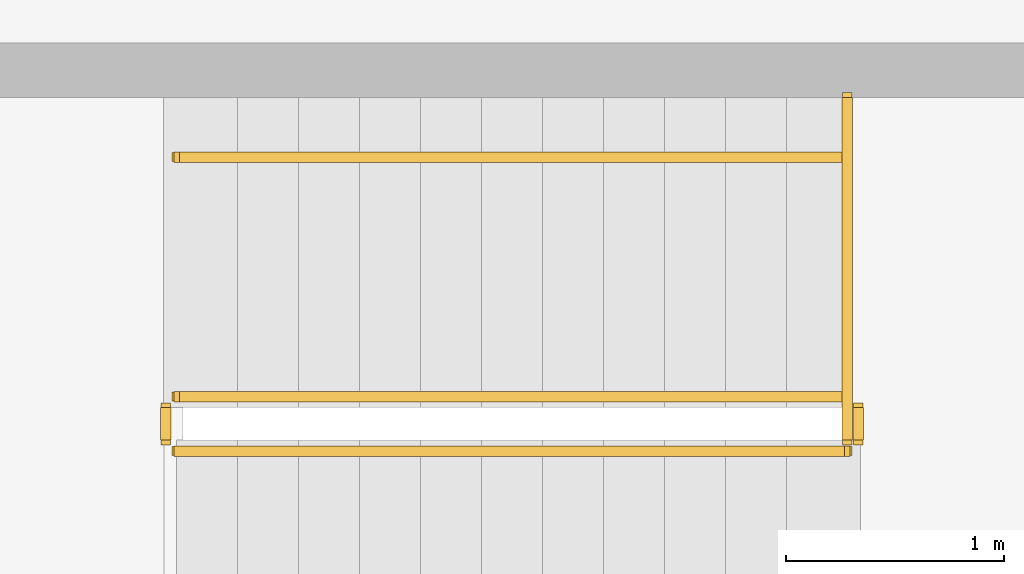
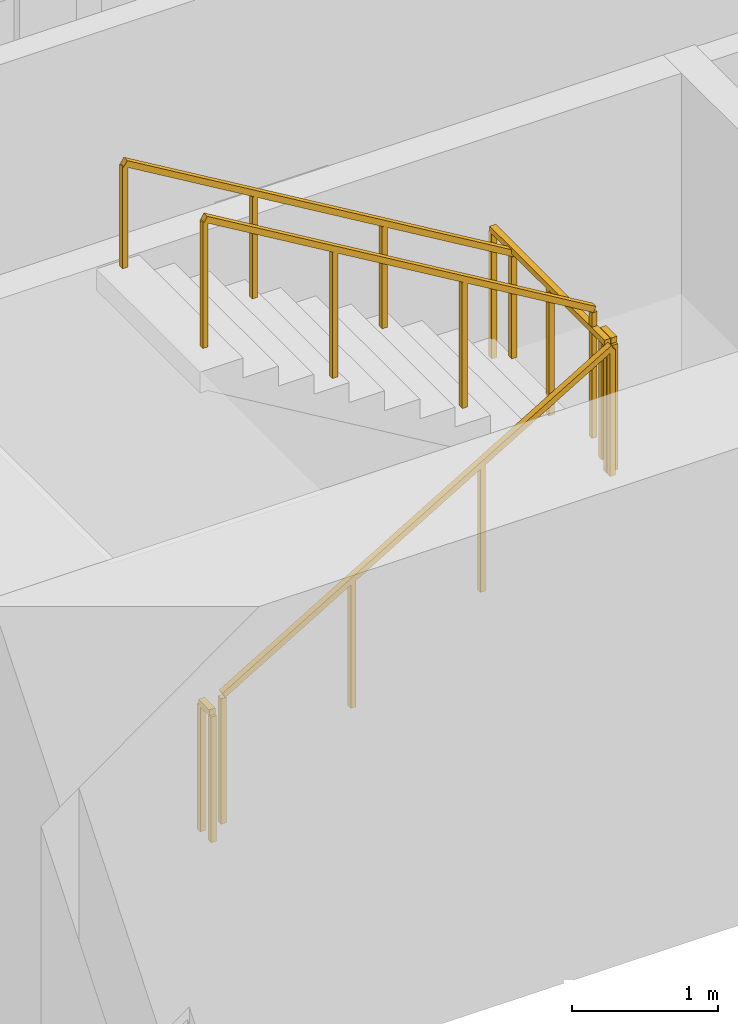
# One storey, part 13 of 16: 6 railings.
"""IFC4 building model written with IfcOpenShell, lengths in metres."""

from ifc_helpers import new_model, si_unit, direction, frame, origin, origin_2d, place, context, subcontext, project, spatial, rectangle, extrude, material, type_object, element, save


model = new_model("IFC4")

# Units and contexts
model_context = context("Model", 3, precision=1e-05, world=origin(), true_north=direction((0.0, 1.0)))
body_context = subcontext(model_context, "Body", "Model", "MODEL_VIEW")
ifc_project = project(units=[si_unit("LENGTHUNIT", "METRE"), si_unit("AREAUNIT", "SQUARE_METRE"), si_unit("VOLUMEUNIT", "CUBIC_METRE"), si_unit("PLANEANGLEUNIT", "RADIAN"), si_unit("MASSUNIT", "GRAM", prefix="KILO")], contexts=[model_context])

# Site, building, storey
site_placement = place(None, origin())
site = spatial("IfcSite", under=ifc_project, at=site_placement, CompositionType="ELEMENT")
building_placement = place(site_placement, origin())
building = spatial("IfcBuilding", under=site, at=building_placement, Name="Sennacour Bend Tower", CompositionType="ELEMENT")
storey_placement = place(building_placement, frame((0.0, 0.0, 227.0)))
storey = spatial("IfcBuildingStorey", under=building, at=storey_placement, Name="L52", CompositionType="ELEMENT", Elevation=227.0)

# Railings
ifc_material = material(Name="Stainless steel", Category="steel")
railing_type_1 = type_object("IfcRailingType", Name="RL-GUARD-1100", PredefinedType="GUARDRAIL", material=ifc_material)
railing_1_placement = place(storey_placement, frame((56.699951171875, 2.449951171875, 0.166748046875)))
element("IfcRailing", 1, at=railing_1_placement, inside=storey, type_object=railing_type_1, Name="L52 SA1 stair guard 1", PredefinedType="GUARDRAIL", context=body_context, shape_type="SweptSolid", body=[
    extrude(rectangle(XDim=0.048095703125, YDim=0.048095703125, at=origin_2d()), frame((0.0, 0.0, 1.076171875), z_axis=(0.859308565015, 0.0, 0.511457515432), x_axis=(0.0, 1.0, 0.0)), (0.0, 0.0, 1.0), 3.58447265625),
    extrude(rectangle(XDim=0.0419921875, YDim=0.0419921875, at=origin_2d()), origin(), (0.0, 0.0, 1.0), 1.052001953125),
    extrude(rectangle(XDim=0.0419921875, YDim=0.0419921875, at=origin_2d()), frame((1.026611328125, 0.0, 0.611083984375)), (0.0, 0.0, 1.0), 1.052001953125),
    extrude(rectangle(XDim=0.0419921875, YDim=0.0419921875, at=origin_2d()), frame((2.053466796875, 0.0, 1.22216796875)), (0.0, 0.0, 1.0), 1.052001953125),
    extrude(rectangle(XDim=0.0419921875, YDim=0.0419921875, at=origin_2d()), frame((3.080078125, 0.0, 1.833251953125)), (0.0, 0.0, 1.0), 1.052001953125),
])
railing_2_placement = place(storey_placement, frame((59.830078125, 2.5, 2.0)))
element("IfcRailing", 2, at=railing_2_placement, inside=storey, type_object=railing_type_1, Name="L52 SA1 stair guard 2", PredefinedType="GUARDRAIL", context=body_context, shape_type="SweptSolid", body=[
    extrude(rectangle(XDim=0.048095703125, YDim=0.048095703125, at=origin_2d()), frame((0.0, 0.0, 1.076171875), z_axis=(0.0, 1.0, 0.0), x_axis=(-1.0, 0.0, 0.0)), (0.0, 0.0, 1.0), 0.14990234375),
    extrude(rectangle(XDim=0.0419921875, YDim=0.0419921875, at=origin_2d()), origin(), (0.0, 0.0, 1.0), 1.052001953125),
    extrude(rectangle(XDim=0.0419921875, YDim=0.0419921875, at=origin_2d()), frame((0.0, 0.14990234375, 0.0)), (0.0, 0.0, 1.0), 1.052001953125),
])
railing_3_placement = place(storey_placement, frame((59.780029296875, 2.699951171875, 2.166748046875)))
element("IfcRailing", 3, at=railing_3_placement, inside=storey, type_object=railing_type_1, Name="L52 SA1 stair guard 4", PredefinedType="GUARDRAIL", context=body_context, shape_type="SweptSolid", body=[
    extrude(rectangle(XDim=0.048095703125, YDim=0.048095703125, at=origin_2d()), frame((0.0, 0.0, 1.076171875), z_axis=(-0.859308565015, 0.0, 0.511457515432), x_axis=(0.0, -1.0, 0.0)), (0.0, 0.0, 1.0), 3.58447265625),
    extrude(rectangle(XDim=0.0419921875, YDim=0.0419921875, at=origin_2d()), origin(), (0.0, 0.0, 1.0), 1.052001953125),
    extrude(rectangle(XDim=0.0419921875, YDim=0.0419921875, at=origin_2d()), frame((-1.026611328125, 0.0, 0.611083984375)), (0.0, 0.0, 1.0), 1.052001953125),
    extrude(rectangle(XDim=0.0419921875, YDim=0.0419921875, at=origin_2d()), frame((-2.053466796875, 0.0, 1.22216796875)), (0.0, 0.0, 1.0), 1.052001953125),
    extrude(rectangle(XDim=0.0419921875, YDim=0.0419921875, at=origin_2d()), frame((-3.080078125, 0.0, 1.833251953125)), (0.0, 0.0, 1.0), 1.052001953125),
])
railing_4_placement = place(storey_placement, frame((56.64990234375, 2.5, 0.0)))
element("IfcRailing", 4, at=railing_4_placement, inside=storey, type_object=railing_type_1, Name="L52 SA1 stair guard 5", PredefinedType="GUARDRAIL", context=body_context, shape_type="SweptSolid", body=[
    extrude(rectangle(XDim=0.048095703125, YDim=0.048095703125, at=origin_2d()), frame((0.0, 0.0, 1.076171875), z_axis=(0.0, 1.0, 0.0), x_axis=(-1.0, 0.0, 0.0)), (0.0, 0.0, 1.0), 0.14990234375),
    extrude(rectangle(XDim=0.0419921875, YDim=0.0419921875, at=origin_2d()), origin(), (0.0, 0.0, 1.0), 1.052001953125),
    extrude(rectangle(XDim=0.0419921875, YDim=0.0419921875, at=origin_2d()), frame((0.0, 0.14990234375, 0.0)), (0.0, 0.0, 1.0), 1.052001953125),
])
railing_5_placement = place(storey_placement, frame((59.780029296875, 2.5, 2.0)))
element("IfcRailing", 5, at=railing_5_placement, inside=storey, type_object=railing_type_1, Name="L52 SA1 landing edge guard 74", PredefinedType="GUARDRAIL", context=body_context, shape_type="SweptSolid", body=[
    extrude(rectangle(XDim=0.048095703125, YDim=0.048095703125, at=origin_2d()), frame((0.0, 0.0, 1.076171875), z_axis=(0.0, 1.0, 0.0), x_axis=(-1.0, 0.0, 0.0)), (0.0, 0.0, 1.0), 1.574951171875),
    extrude(rectangle(XDim=0.0419921875, YDim=0.0419921875, at=origin_2d()), origin(), (0.0, 0.0, 1.0), 1.052001953125),
    extrude(rectangle(XDim=0.0419921875, YDim=0.0419921875, at=origin_2d()), frame((0.0, 0.78759765625, 0.0)), (0.0, 0.0, 1.0), 1.052001953125),
    extrude(rectangle(XDim=0.0419921875, YDim=0.0419921875, at=origin_2d()), frame((0.0, 1.574951171875, 0.0)), (0.0, 0.0, 1.0), 1.052001953125),
])
railing_type_2 = type_object("IfcRailingType", Name="RL-HANDRAIL-900", PredefinedType="HANDRAIL", material=ifc_material)
railing_6_placement = place(storey_placement, frame((59.780029296875, 3.800048828125, 2.166748046875)))
element("IfcRailing", 6, at=railing_6_placement, inside=storey, type_object=railing_type_2, Name="L52 SA1 stair handrail 2", PredefinedType="HANDRAIL", context=body_context, shape_type="SweptSolid", body=[
    extrude(rectangle(XDim=0.048095703125, YDim=0.048095703125, at=origin_2d()), frame((0.0, 0.0, 0.8759765625), z_axis=(-0.859308565015, 0.0, 0.511457515432), x_axis=(0.0, -1.0, 0.0)), (0.0, 0.0, 1.0), 3.58447265625),
    extrude(rectangle(XDim=0.0419921875, YDim=0.0419921875, at=origin_2d()), origin(), (0.0, 0.0, 1.0), 0.851806640625),
    extrude(rectangle(XDim=0.0419921875, YDim=0.0419921875, at=origin_2d()), frame((-1.026611328125, 0.0, 0.611083984375)), (0.0, 0.0, 1.0), 0.851806640625),
    extrude(rectangle(XDim=0.0419921875, YDim=0.0419921875, at=origin_2d()), frame((-2.053466796875, 0.0, 1.22216796875)), (0.0, 0.0, 1.0), 0.851806640625),
    extrude(rectangle(XDim=0.0419921875, YDim=0.0419921875, at=origin_2d()), frame((-3.080078125, 0.0, 1.833251953125)), (0.0, 0.0, 1.0), 0.851806640625),
])

save(model, "model.ifc")
